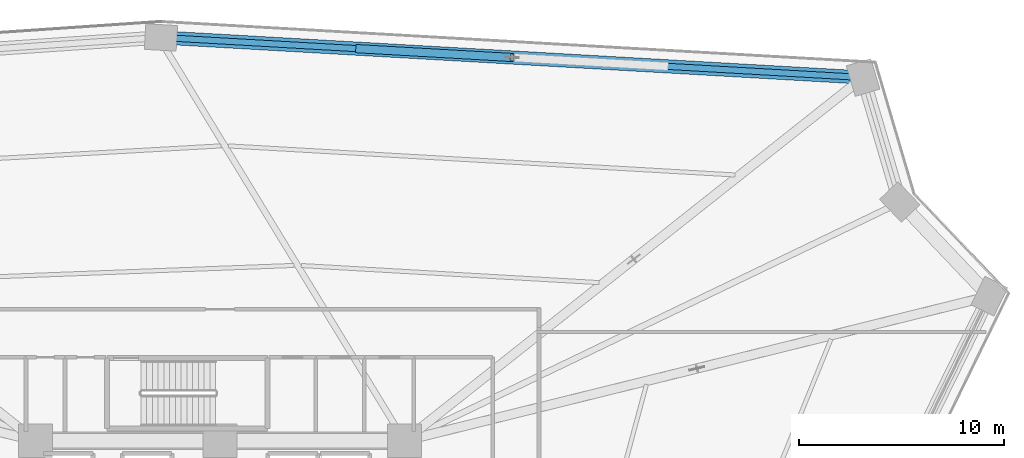
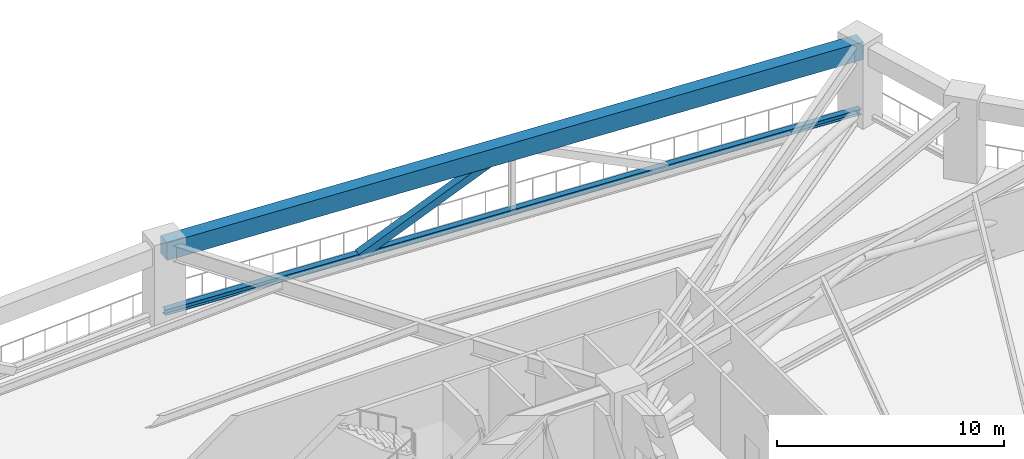
# One storey, part 10 of 25: 2 members, 1 beam.
"""IFC4 building model written with IfcOpenShell, lengths in metres."""

from ifc_helpers import new_model, si_unit, direction, frame, origin, origin_2d, place, context, subcontext, project, spatial, rectangle, hollow_rectangle, i_section, extrude, source, transform, mapped, material, material_profile, profile_set, type_object, element, save


model = new_model("IFC4")

# Units and contexts
model_context = context("Model", 3, precision=1e-05, world=origin(), true_north=direction((0.0, 1.0)))
body_context = subcontext(model_context, "Body", "Model", "MODEL_VIEW")
ifc_project = project(units=[si_unit("LENGTHUNIT", "METRE"), si_unit("AREAUNIT", "SQUARE_METRE"), si_unit("VOLUMEUNIT", "CUBIC_METRE"), si_unit("PLANEANGLEUNIT", "RADIAN"), si_unit("MASSUNIT", "GRAM", prefix="KILO")], contexts=[model_context])

# Site, building, storey
site_placement = place(None, origin())
site = spatial("IfcSite", under=ifc_project, at=site_placement, CompositionType="ELEMENT")
building_placement = place(site_placement, origin())
building = spatial("IfcBuilding", under=site, at=building_placement, Name="Liaohun Quay Tower", CompositionType="ELEMENT")
storey_placement = place(building_placement, frame((0.0, 0.0, 93.0)))
storey = spatial("IfcBuildingStorey", under=building, at=storey_placement, Name="L24", CompositionType="ELEMENT", Elevation=93.0)

# Beam
ifc_material_1 = material(Name="Precast concrete C55", Category="concrete")
ifc_material_profile_1 = material_profile(ifc_material_1, rectangle(XDim=0.64990234375, YDim=0.949951171875, at=origin_2d()), Name="RC650x950")
ifc_profile_set_1 = profile_set([ifc_material_profile_1], Name="Precast concrete C55")
beam_type = type_object("IfcBeamType", Name="BM-SPD-Z1", PredefinedType="SPANDREL", material=ifc_profile_set_1)
shared_shape_1 = source(origin(), body_context, "Body", "SweptSolid", [
    extrude(rectangle(XDim=0.64990234375, YDim=0.949951171875, at=origin_2d()), origin(), (0.0, 0.0, 1.0), 34.296630859375),
])
beam_placement = place(storey_placement, frame((57.1240234375, 81.16796875, 3.7451171875), z_axis=(0.998377549217, -0.056940927453, 0.0), x_axis=(0.056940927453, 0.998377549217, 0.0)))
element("IfcBeam", 1, at=beam_placement, inside=storey, type_object=beam_type, Name="L24 Precast Spandrel Beam PC06-PC07", PredefinedType="SPANDREL", context=body_context, shape_type="MappedRepresentation", body=[
    mapped(shared_shape_1, transform((0.0, 0.0, 0.0), x_axis=(1.0, 0.0, 0.0), y_axis=(0.0, 1.0, 0.0), z_axis=(0.0, 0.0, 1.0), scale=1.0)),
])

# Members
ifc_material_2 = material(Name="Steel Q355D", Category="steel")
ifc_material_profile_2 = material_profile(ifc_material_2, i_section(OverallWidth=0.300048828125, OverallDepth=0.300048828125, WebThickness=0.010009765625, FlangeThickness=0.014892578125, at=origin_2d()), Name="HW300x300x10x15")
ifc_profile_set_2 = profile_set([ifc_material_profile_2], Name="Steel Q355D")
member_type_1 = type_object("IfcMemberType", Name="MEM-BLT-CHD", PredefinedType="CHORD", material=ifc_profile_set_2)
shared_shape_2 = source(origin(), body_context, "Body", "SweptSolid", [
    extrude(i_section(OverallWidth=0.300048828125, OverallDepth=0.300048828125, WebThickness=0.010009765625, FlangeThickness=0.014892578125, at=origin_2d()), origin(), (0.0, 0.0, 1.0), 34.296630859375),
])
member_1_placement = place(storey_placement, frame((57.1240234375, 81.16796875, 0.35009765625), z_axis=(0.998377549217, -0.056940927453, 0.0), x_axis=(0.056940927453, 0.998377549217, 0.0)))
element("IfcMember", 2, at=member_1_placement, inside=storey, type_object=member_type_1, Name="L24 Belt Truss Bottom Chord BC-1-04", PredefinedType="CHORD", context=body_context, shape_type="MappedRepresentation", body=[
    mapped(shared_shape_2, transform((0.0, 0.0, 0.0), x_axis=(1.0, 0.0, 0.0), y_axis=(0.0, 1.0, 0.0), z_axis=(0.0, 0.0, 1.0), scale=1.0)),
])
ifc_material_3 = material(Name="Steel Q420D", Category="steel")
ifc_material_profile_3 = material_profile(ifc_material_3, hollow_rectangle(XDim=0.39990234375, YDim=0.39990234375, WallThickness=0.02001953125, at=origin_2d()), Name="SHS400x400x20")
ifc_profile_set_3 = profile_set([ifc_material_profile_3], Name="Steel Q420D")
member_type_2 = type_object("IfcMemberType", Name="MEM-BLT-DG1", PredefinedType="BRACE", material=ifc_profile_set_3)
shared_shape_3 = source(origin(), body_context, "Body", "SweptSolid", [
    extrude(hollow_rectangle(XDim=0.39990234375, YDim=0.39990234375, WallThickness=0.02001953125, at=origin_2d()), origin(), (0.0, 0.0, 1.0), 8.34814453125),
])
member_2_placement = place(storey_placement, frame((66.7109375, 80.62109375, 0.35009765625), z_axis=(0.90249619737, -0.051412453499, 0.427618256576), x_axis=(0.056874736367, 0.998381322123, 0.0)))
element("IfcMember", 3, at=member_2_placement, inside=storey, type_object=member_type_2, Name="L24 Belt Truss Diagonal BD-04A", PredefinedType="BRACE", context=body_context, shape_type="MappedRepresentation", body=[
    mapped(shared_shape_3, transform((0.0, 0.0, 0.0), x_axis=(1.0, 0.0, 0.0), y_axis=(0.0, 1.0, 0.0), z_axis=(0.0, 0.0, 1.0), scale=1.0)),
])

save(model, "model.ifc")
